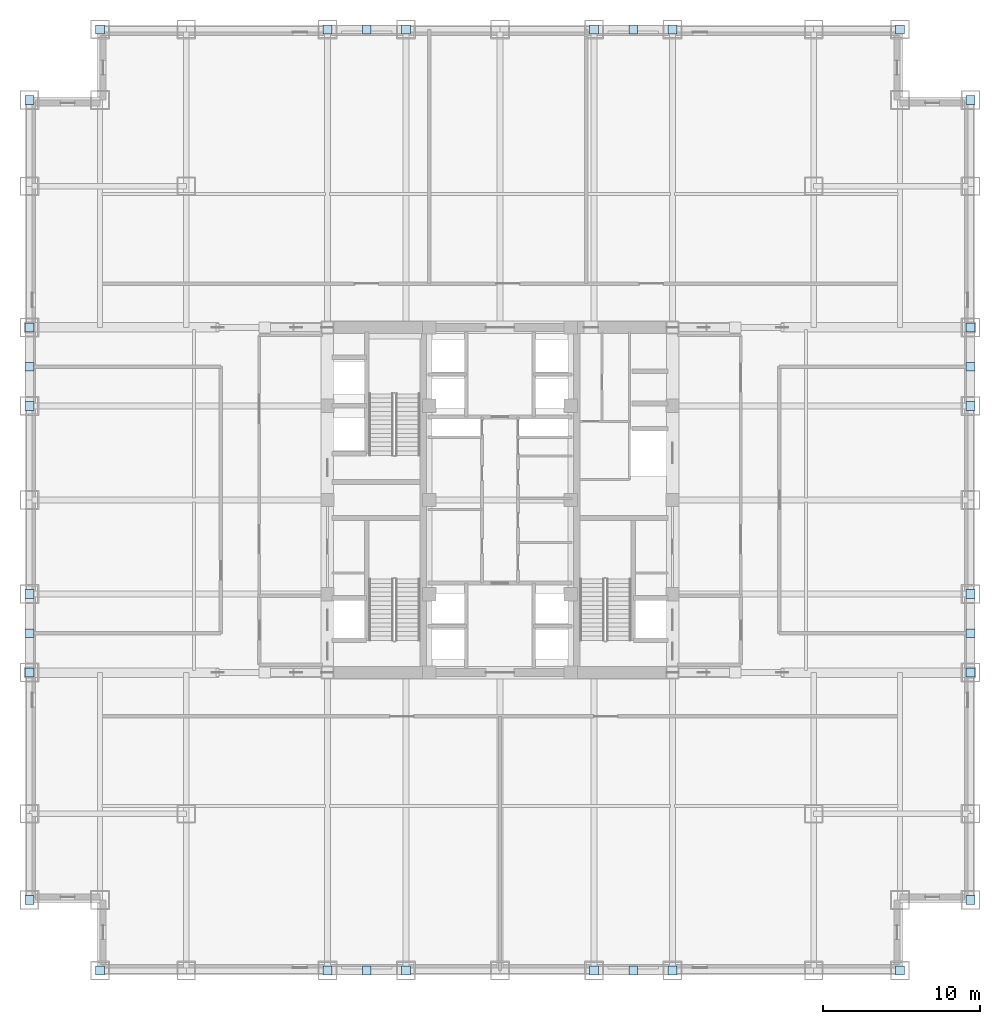
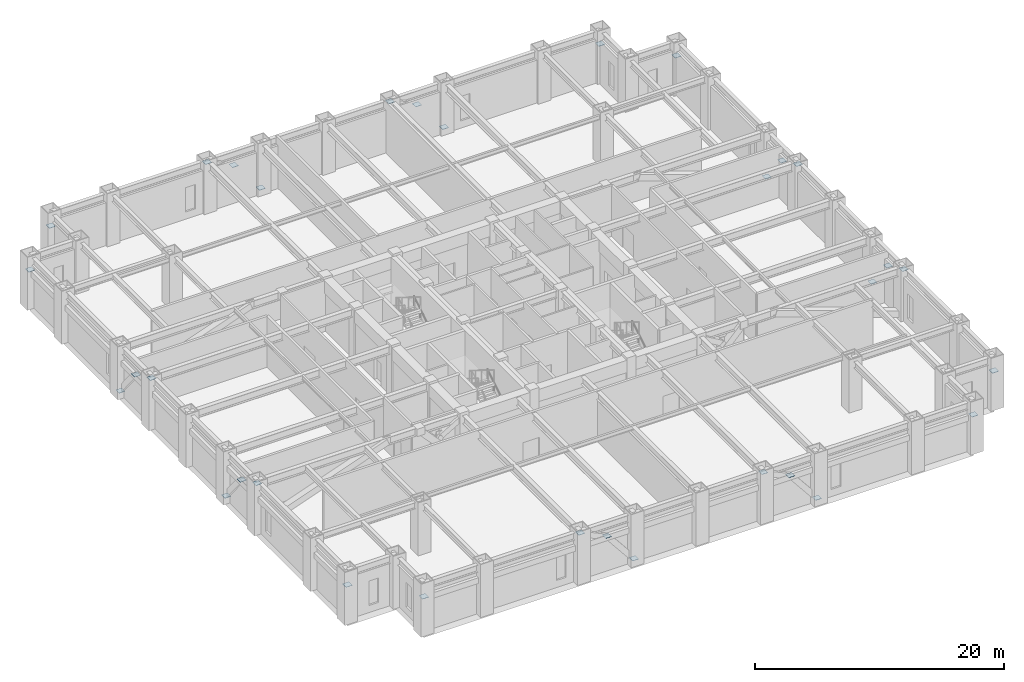
# One storey, part 6 of 12: 32 plates.
"""IFC4 building model written with IfcOpenShell, lengths in metres."""

from ifc_helpers import new_model, si_unit, direction, frame, origin, origin_2d, place, context, subcontext, project, spatial, rectangle, extrude, source, transform, mapped, material, layer, layer_set, type_object, element, save


model = new_model("IFC4")

# Units and contexts
model_context = context("Model", 3, precision=1e-05, world=origin(), true_north=direction((0.0, 1.0)))
body_context = subcontext(model_context, "Body", "Model", "MODEL_VIEW")
ifc_project = project(units=[si_unit("LENGTHUNIT", "METRE"), si_unit("AREAUNIT", "SQUARE_METRE"), si_unit("VOLUMEUNIT", "CUBIC_METRE"), si_unit("PLANEANGLEUNIT", "RADIAN"), si_unit("MASSUNIT", "GRAM", prefix="KILO")], contexts=[model_context])

# Site, building, storey
site_placement = place(None, origin())
site = spatial("IfcSite", under=ifc_project, at=site_placement, CompositionType="ELEMENT")
building_placement = place(site_placement, origin())
building = spatial("IfcBuilding", under=site, at=building_placement, Name="Khorayat Bourse Tower", CompositionType="ELEMENT")
storey_placement = place(building_placement, frame((0.0, 0.0, 149.89990234375)))
storey = spatial("IfcBuildingStorey", under=building, at=storey_placement, Name="L34", CompositionType="ELEMENT", Elevation=149.89990234375)

# Plates
ifc_material = material(Name="Steel EN 10025-2 S355J2", Category="steel")
ifc_layer = layer(ifc_material, 0.02490234375)
ifc_layer_set = layer_set([ifc_layer], Name="Steel EN 10025-2 S355J2")
plate_type = type_object("IfcPlateType", Name="PLT-ENDCAP-25", PredefinedType="SHEET", material=ifc_layer_set)
shared_shape_1 = source(origin(), body_context, "Body", "SweptSolid", [
    extrude(rectangle(XDim=0.56005859375, YDim=0.56005859375, at=origin_2d()), origin(), (0.0, 0.0, 1.0), 0.02490234375),
])
for number, where, z_axis, x_axis, name in (
    (1, (-11.0, -30.0, 4.61767578125), (0.0, 0.0, 1.0), (1.0, 0.0, 0.0), "L34 Perimeter Brace End Plate 001"),
    (2, (-8.5, -30.0, 3.437744140625), (0.0, 0.0, 1.0), (1.0, 0.0, 0.0), "L34 Perimeter Brace End Plate 002"),
    (3, (-6.0, -30.0, 0.337646484375), (0.0, 0.0, 1.0), (1.0, 0.0, 0.0), "L34 Perimeter Brace End Plate 003"),
    (4, (6.0, -30.0, 4.61767578125), (0.0, 0.0, 1.0), (1.0, 0.0, 0.0), "L34 Perimeter Brace End Plate 004"),
    (5, (8.5, -30.0, 3.437744140625), (0.0, 0.0, 1.0), (1.0, 0.0, 0.0), "L34 Perimeter Brace End Plate 005"),
    (6, (11.0, -30.0, 0.337646484375), (0.0, 0.0, 1.0), (1.0, 0.0, 0.0), "L34 Perimeter Brace End Plate 006"),
    (7, (-11.0, 30.0, 4.61767578125), (0.0, 0.0, 1.0), (1.0, 0.0, 0.0), "L34 Perimeter Brace End Plate 007"),
    (8, (-8.5, 30.0, 3.437744140625), (0.0, 0.0, 1.0), (1.0, 0.0, 0.0), "L34 Perimeter Brace End Plate 008"),
    (9, (-6.0, 30.0, 0.337646484375), (0.0, 0.0, 1.0), (1.0, 0.0, 0.0), "L34 Perimeter Brace End Plate 009"),
    (10, (6.0, 30.0, 4.61767578125), (0.0, 0.0, 1.0), (1.0, 0.0, 0.0), "L34 Perimeter Brace End Plate 010"),
    (11, (8.5, 30.0, 3.437744140625), (0.0, 0.0, 1.0), (1.0, 0.0, 0.0), "L34 Perimeter Brace End Plate 011"),
    (12, (11.0, 30.0, 0.337646484375), (0.0, 0.0, 1.0), (1.0, 0.0, 0.0), "L34 Perimeter Brace End Plate 012"),
    (13, (-30.0, -11.0, 4.61767578125), (0.0, 0.0, 1.0), (1.0, 0.0, 0.0), "L34 Perimeter Brace End Plate 013"),
    (14, (-30.0, -8.5, 3.437744140625), (0.0, 0.0, 1.0), (1.0, 0.0, 0.0), "L34 Perimeter Brace End Plate 014"),
    (15, (-30.0, -6.0, 0.337646484375), (0.0, 0.0, 1.0), (1.0, 0.0, 0.0), "L34 Perimeter Brace End Plate 015"),
    (16, (-30.0, 6.0, 4.61767578125), (0.0, 0.0, 1.0), (1.0, 0.0, 0.0), "L34 Perimeter Brace End Plate 016"),
    (17, (-30.0, 8.5, 3.437744140625), (0.0, 0.0, 1.0), (1.0, 0.0, 0.0), "L34 Perimeter Brace End Plate 017"),
    (18, (-30.0, 11.0, 0.337646484375), (0.0, 0.0, 1.0), (1.0, 0.0, 0.0), "L34 Perimeter Brace End Plate 018"),
    (19, (30.0, -11.0, 4.61767578125), (0.0, 0.0, 1.0), (1.0, 0.0, 0.0), "L34 Perimeter Brace End Plate 019"),
    (20, (30.0, -8.5, 3.437744140625), (0.0, 0.0, 1.0), (1.0, 0.0, 0.0), "L34 Perimeter Brace End Plate 020"),
    (21, (30.0, -6.0, 0.337646484375), (0.0, 0.0, 1.0), (1.0, 0.0, 0.0), "L34 Perimeter Brace End Plate 021"),
    (22, (30.0, 6.0, 4.61767578125), (0.0, 0.0, 1.0), (1.0, 0.0, 0.0), "L34 Perimeter Brace End Plate 022"),
    (23, (30.0, 8.5, 3.437744140625), (0.0, 0.0, 1.0), (1.0, 0.0, 0.0), "L34 Perimeter Brace End Plate 023"),
    (24, (30.0, 11.0, 0.337646484375), (0.0, 0.0, 1.0), (1.0, 0.0, 0.0), "L34 Perimeter Brace End Plate 024"),
):
    element("IfcPlate", number, at=place(storey_placement, frame(where, z_axis=z_axis, x_axis=x_axis)), inside=storey, type_object=plate_type, Name=name, PredefinedType="SHEET", context=body_context, shape_type="MappedRepresentation", body=[
        mapped(shared_shape_1, transform((0.0, 0.0, 0.0), scale=1.0)),
    ])
shared_shape_2 = source(origin(), body_context, "Body", "SweptSolid", [
    extrude(rectangle(XDim=0.580078125, YDim=0.580078125, at=origin_2d()), origin(), (0.0, 0.0, 1.0), 0.02490234375),
])
for number, where, z_axis, x_axis, name in (
    (25, (-25.5, -30.0, 3.437744140625), (0.0, 0.0, 1.0), (1.0, 0.0, 0.0), "L34 Belt Truss Endcap Plate 025"),
    (26, (25.5, -30.0, 3.437744140625), (0.0, 0.0, 1.0), (1.0, 0.0, 0.0), "L34 Belt Truss Endcap Plate 026"),
    (27, (-25.5, 30.0, 3.437744140625), (0.0, 0.0, 1.0), (1.0, 0.0, 0.0), "L34 Belt Truss Endcap Plate 027"),
    (28, (25.5, 30.0, 3.437744140625), (0.0, 0.0, 1.0), (1.0, 0.0, 0.0), "L34 Belt Truss Endcap Plate 028"),
    (29, (-30.0, -25.5, 3.437744140625), (0.0, 0.0, 1.0), (1.0, 0.0, 0.0), "L34 Belt Truss Endcap Plate 029"),
    (30, (-30.0, 25.5, 3.437744140625), (0.0, 0.0, 1.0), (1.0, 0.0, 0.0), "L34 Belt Truss Endcap Plate 030"),
    (31, (30.0, -25.5, 3.437744140625), (0.0, 0.0, 1.0), (1.0, 0.0, 0.0), "L34 Belt Truss Endcap Plate 031"),
    (32, (30.0, 25.5, 3.437744140625), (0.0, 0.0, 1.0), (1.0, 0.0, 0.0), "L34 Belt Truss Endcap Plate 032"),
):
    element("IfcPlate", number, at=place(storey_placement, frame(where, z_axis=z_axis, x_axis=x_axis)), inside=storey, type_object=plate_type, Name=name, PredefinedType="SHEET", context=body_context, shape_type="MappedRepresentation", body=[
        mapped(shared_shape_2, transform((0.0, 0.0, 0.0), scale=1.0)),
    ])

save(model, "model.ifc")
